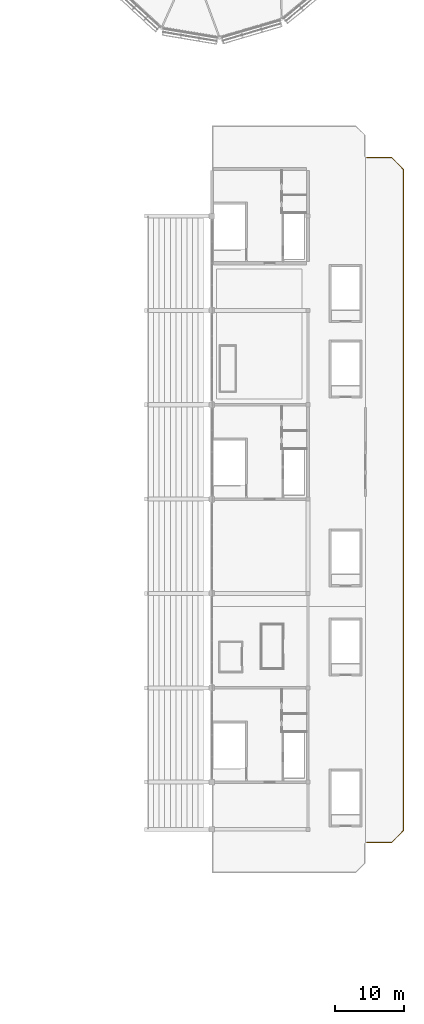
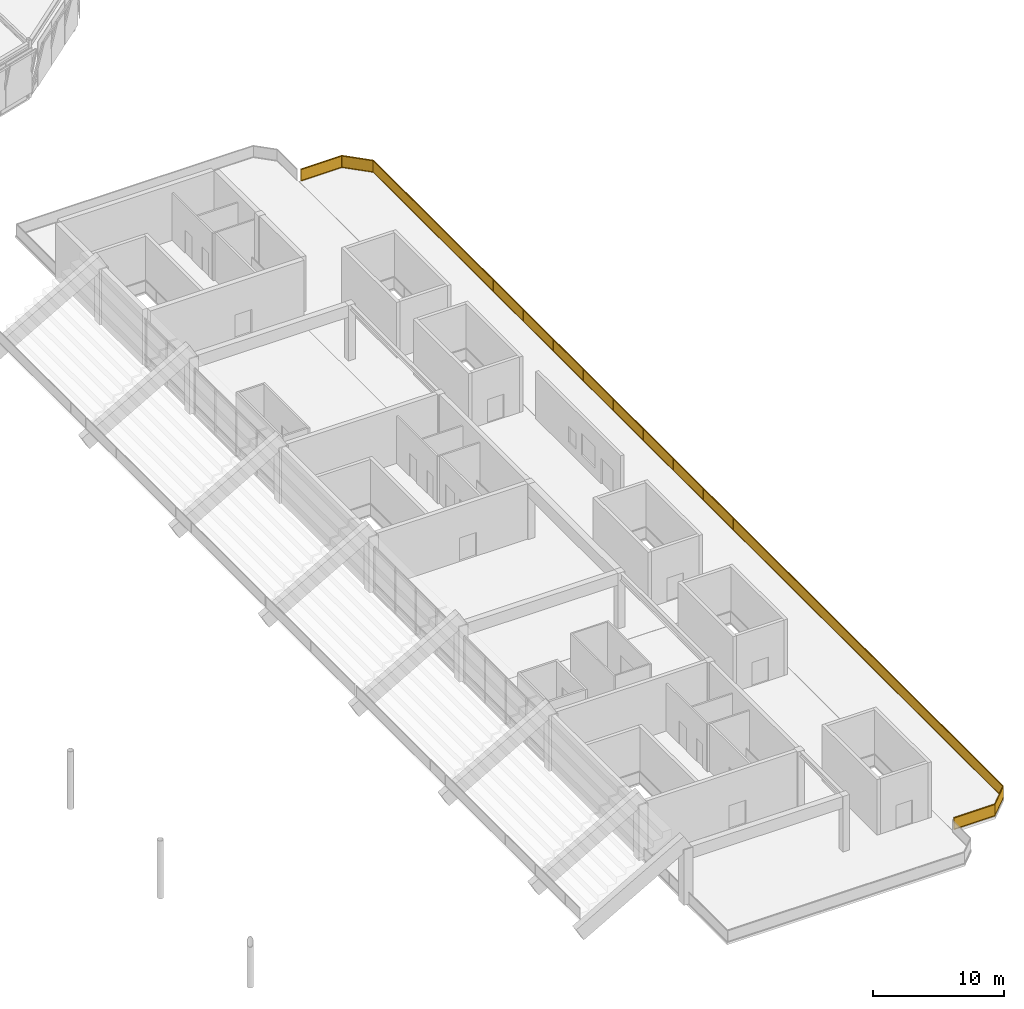
# One storey, part 85 of 90: 1 railing.
"""IFC4 building model written with IfcOpenShell, lengths in metres."""

from ifc_helpers import new_model, si_unit, direction, frame, origin, origin_2d, place, context, subcontext, project, spatial, rectangle, extrude, material, type_object, element, save


model = new_model("IFC4")

# Units and contexts
model_context = context("Model", 3, precision=1e-05, world=origin(), true_north=direction((0.0, 1.0)))
body_context = subcontext(model_context, "Body", "Model", "MODEL_VIEW")
ifc_project = project(units=[si_unit("LENGTHUNIT", "METRE"), si_unit("AREAUNIT", "SQUARE_METRE"), si_unit("VOLUMEUNIT", "CUBIC_METRE"), si_unit("PLANEANGLEUNIT", "RADIAN"), si_unit("MASSUNIT", "GRAM", prefix="KILO")], contexts=[model_context])

# Site, building, storey
site_placement = place(None, origin())
site = spatial("IfcSite", under=ifc_project, at=site_placement, CompositionType="ELEMENT")
building_placement = place(site_placement, origin())
building = spatial("IfcBuilding", under=site, at=building_placement, Name="Linyun Crest Stadium", CompositionType="ELEMENT")
storey_placement = place(building_placement, frame((0.0, 0.0, 21.0)))
storey = spatial("IfcBuildingStorey", under=building, at=storey_placement, Name="L05", CompositionType="ELEMENT", Elevation=21.0)

# Railing
ifc_material = material(Name="Verdigris painted steel botanical balustrade", Category="steel")
railing_type = type_object("IfcRailingType", Name="GR01", PredefinedType="BALUSTRADE", material=ifc_material)
railing_placement = place(storey_placement, frame((92.580078125, 51.93994140625, 0.0)))
element("IfcRailing", 1, at=railing_placement, inside=storey, type_object=railing_type, Name="Slab edge balustrade GR01 190", PredefinedType="BALUSTRADE", context=body_context, shape_type="SweptSolid", body=[
    extrude(rectangle(XDim=0.06005859375, YDim=0.06005859375, at=origin_2d()), frame((0.0, 0.0, 1.119873046875), z_axis=(1.0, 0.0, 0.0), x_axis=(0.0, 1.0, 0.0)), (0.0, 0.0, 1.0), 3.594970703125),
    extrude(rectangle(XDim=0.030029296875, YDim=1.02978515625, at=origin_2d()), frame((0.0, 0.0, 0.574951171875), z_axis=(1.0, 0.0, 0.0), x_axis=(0.0, 1.0, 0.0)), (0.0, 0.0, 1.0), 3.594970703125),
    extrude(rectangle(XDim=0.06005859375, YDim=0.06005859375, at=origin_2d()), frame((0.0, 0.0, 0.030029296875), z_axis=(1.0, 0.0, 0.0), x_axis=(0.0, 1.0, 0.0)), (0.0, 0.0, 1.0), 3.594970703125),
    extrude(rectangle(XDim=0.06005859375, YDim=0.06005859375, at=origin_2d()), frame((3.594970703125, 0.0, 1.119873046875), z_axis=(0.707106781187, -0.707106781187, 0.0), x_axis=(0.707106781187, 0.707106781187, 0.0)), (0.0, 0.0, 1.0), 2.495849609375),
    extrude(rectangle(XDim=0.030029296875, YDim=1.02978515625, at=origin_2d()), frame((3.594970703125, 0.0, 0.574951171875), z_axis=(0.707106781187, -0.707106781187, 0.0), x_axis=(0.707106781187, 0.707106781187, 0.0)), (0.0, 0.0, 1.0), 2.495849609375),
    extrude(rectangle(XDim=0.06005859375, YDim=0.06005859375, at=origin_2d()), frame((3.594970703125, 0.0, 0.030029296875), z_axis=(0.707106781187, -0.707106781187, 0.0), x_axis=(0.707106781187, 0.707106781187, 0.0)), (0.0, 0.0, 1.0), 2.495849609375),
    extrude(rectangle(XDim=0.06005859375, YDim=0.06005859375, at=origin_2d()), frame((5.35986328125, -1.764892578125, 1.119873046875), z_axis=(0.0, -1.0, 0.0), x_axis=(1.0, 0.0, 0.0)), (0.0, 0.0, 1.0), 96.35009765625),
    extrude(rectangle(XDim=0.030029296875, YDim=1.02978515625, at=origin_2d()), frame((5.35986328125, -1.764892578125, 0.574951171875), z_axis=(0.0, -1.0, 0.0), x_axis=(1.0, 0.0, 0.0)), (0.0, 0.0, 1.0), 96.35009765625),
    extrude(rectangle(XDim=0.06005859375, YDim=0.06005859375, at=origin_2d()), frame((5.35986328125, -1.764892578125, 0.030029296875), z_axis=(0.0, -1.0, 0.0), x_axis=(1.0, 0.0, 0.0)), (0.0, 0.0, 1.0), 96.35009765625),
    extrude(rectangle(XDim=0.06005859375, YDim=0.06005859375, at=origin_2d()), frame((5.35986328125, -98.114990234375, 1.119873046875), z_axis=(-0.707106781187, -0.707106781187, 0.0), x_axis=(0.707106781187, -0.707106781187, 0.0)), (0.0, 0.0, 1.0), 2.495849609375),
    extrude(rectangle(XDim=0.030029296875, YDim=1.02978515625, at=origin_2d()), frame((5.35986328125, -98.114990234375, 0.574951171875), z_axis=(-0.707106781187, -0.707106781187, 0.0), x_axis=(0.707106781187, -0.707106781187, 0.0)), (0.0, 0.0, 1.0), 2.495849609375),
    extrude(rectangle(XDim=0.06005859375, YDim=0.06005859375, at=origin_2d()), frame((5.35986328125, -98.114990234375, 0.030029296875), z_axis=(-0.707106781187, -0.707106781187, 0.0), x_axis=(0.707106781187, -0.707106781187, 0.0)), (0.0, 0.0, 1.0), 2.495849609375),
    extrude(rectangle(XDim=0.06005859375, YDim=0.06005859375, at=origin_2d()), frame((3.594970703125, -99.8798828125, 1.119873046875), z_axis=(-1.0, 0.0, 0.0), x_axis=(0.0, -1.0, 0.0)), (0.0, 0.0, 1.0), 3.594970703125),
    extrude(rectangle(XDim=0.030029296875, YDim=1.02978515625, at=origin_2d()), frame((3.594970703125, -99.8798828125, 0.574951171875), z_axis=(-1.0, 0.0, 0.0), x_axis=(0.0, -1.0, 0.0)), (0.0, 0.0, 1.0), 3.594970703125),
    extrude(rectangle(XDim=0.06005859375, YDim=0.06005859375, at=origin_2d()), frame((3.594970703125, -99.8798828125, 0.030029296875), z_axis=(-1.0, 0.0, 0.0), x_axis=(0.0, -1.0, 0.0)), (0.0, 0.0, 1.0), 3.594970703125),
    extrude(rectangle(XDim=0.050048828125, YDim=0.050048828125, at=origin_2d()), origin(), (0.0, 0.0, 1.0), 1.14990234375),
    extrude(rectangle(XDim=0.050048828125, YDim=0.050048828125, at=origin_2d()), frame((3.594970703125, 0.0, 0.0)), (0.0, 0.0, 1.0), 1.14990234375),
    extrude(rectangle(XDim=0.050048828125, YDim=0.050048828125, at=origin_2d()), frame((5.35986328125, -1.764892578125, 0.0)), (0.0, 0.0, 1.0), 1.14990234375),
    extrude(rectangle(XDim=0.050048828125, YDim=0.050048828125, at=origin_2d()), frame((5.35986328125, -6.35302734375, 0.0)), (0.0, 0.0, 1.0), 1.14990234375),
    extrude(rectangle(XDim=0.050048828125, YDim=0.050048828125, at=origin_2d()), frame((5.35986328125, -10.941162109375, 0.0)), (0.0, 0.0, 1.0), 1.14990234375),
    extrude(rectangle(XDim=0.050048828125, YDim=0.050048828125, at=origin_2d()), frame((5.35986328125, -15.529296875, 0.0)), (0.0, 0.0, 1.0), 1.14990234375),
    extrude(rectangle(XDim=0.050048828125, YDim=0.050048828125, at=origin_2d()), frame((5.35986328125, -20.1171875, 0.0)), (0.0, 0.0, 1.0), 1.14990234375),
    extrude(rectangle(XDim=0.050048828125, YDim=0.050048828125, at=origin_2d()), frame((5.35986328125, -24.705322265625, 0.0)), (0.0, 0.0, 1.0), 1.14990234375),
    extrude(rectangle(XDim=0.050048828125, YDim=0.050048828125, at=origin_2d()), frame((5.35986328125, -29.29345703125, 0.0)), (0.0, 0.0, 1.0), 1.14990234375),
    extrude(rectangle(XDim=0.050048828125, YDim=0.050048828125, at=origin_2d()), frame((5.35986328125, -33.881591796875, 0.0)), (0.0, 0.0, 1.0), 1.14990234375),
    extrude(rectangle(XDim=0.050048828125, YDim=0.050048828125, at=origin_2d()), frame((5.35986328125, -38.4697265625, 0.0)), (0.0, 0.0, 1.0), 1.14990234375),
    extrude(rectangle(XDim=0.050048828125, YDim=0.050048828125, at=origin_2d()), frame((5.35986328125, -43.057861328125, 0.0)), (0.0, 0.0, 1.0), 1.14990234375),
    extrude(rectangle(XDim=0.050048828125, YDim=0.050048828125, at=origin_2d()), frame((5.35986328125, -47.64599609375, 0.0)), (0.0, 0.0, 1.0), 1.14990234375),
    extrude(rectangle(XDim=0.050048828125, YDim=0.050048828125, at=origin_2d()), frame((5.35986328125, -52.23388671875, 0.0)), (0.0, 0.0, 1.0), 1.14990234375),
    extrude(rectangle(XDim=0.050048828125, YDim=0.050048828125, at=origin_2d()), frame((5.35986328125, -56.822021484375, 0.0)), (0.0, 0.0, 1.0), 1.14990234375),
    extrude(rectangle(XDim=0.050048828125, YDim=0.050048828125, at=origin_2d()), frame((5.35986328125, -61.41015625, 0.0)), (0.0, 0.0, 1.0), 1.14990234375),
    extrude(rectangle(XDim=0.050048828125, YDim=0.050048828125, at=origin_2d()), frame((5.35986328125, -65.998291015625, 0.0)), (0.0, 0.0, 1.0), 1.14990234375),
    extrude(rectangle(XDim=0.050048828125, YDim=0.050048828125, at=origin_2d()), frame((5.35986328125, -70.58642578125, 0.0)), (0.0, 0.0, 1.0), 1.14990234375),
    extrude(rectangle(XDim=0.050048828125, YDim=0.050048828125, at=origin_2d()), frame((5.35986328125, -75.174560546875, 0.0)), (0.0, 0.0, 1.0), 1.14990234375),
    extrude(rectangle(XDim=0.050048828125, YDim=0.050048828125, at=origin_2d()), frame((5.35986328125, -79.7626953125, 0.0)), (0.0, 0.0, 1.0), 1.14990234375),
    extrude(rectangle(XDim=0.050048828125, YDim=0.050048828125, at=origin_2d()), frame((5.35986328125, -84.3505859375, 0.0)), (0.0, 0.0, 1.0), 1.14990234375),
    extrude(rectangle(XDim=0.050048828125, YDim=0.050048828125, at=origin_2d()), frame((5.35986328125, -88.938720703125, 0.0)), (0.0, 0.0, 1.0), 1.14990234375),
    extrude(rectangle(XDim=0.050048828125, YDim=0.050048828125, at=origin_2d()), frame((5.35986328125, -93.52685546875, 0.0)), (0.0, 0.0, 1.0), 1.14990234375),
    extrude(rectangle(XDim=0.050048828125, YDim=0.050048828125, at=origin_2d()), frame((5.35986328125, -98.114990234375, 0.0)), (0.0, 0.0, 1.0), 1.14990234375),
    extrude(rectangle(XDim=0.050048828125, YDim=0.050048828125, at=origin_2d()), frame((3.594970703125, -99.8798828125, 0.0)), (0.0, 0.0, 1.0), 1.14990234375),
    extrude(rectangle(XDim=0.050048828125, YDim=0.050048828125, at=origin_2d()), frame((0.0, -99.8798828125, 0.0)), (0.0, 0.0, 1.0), 1.14990234375),
])

save(model, "model.ifc")
